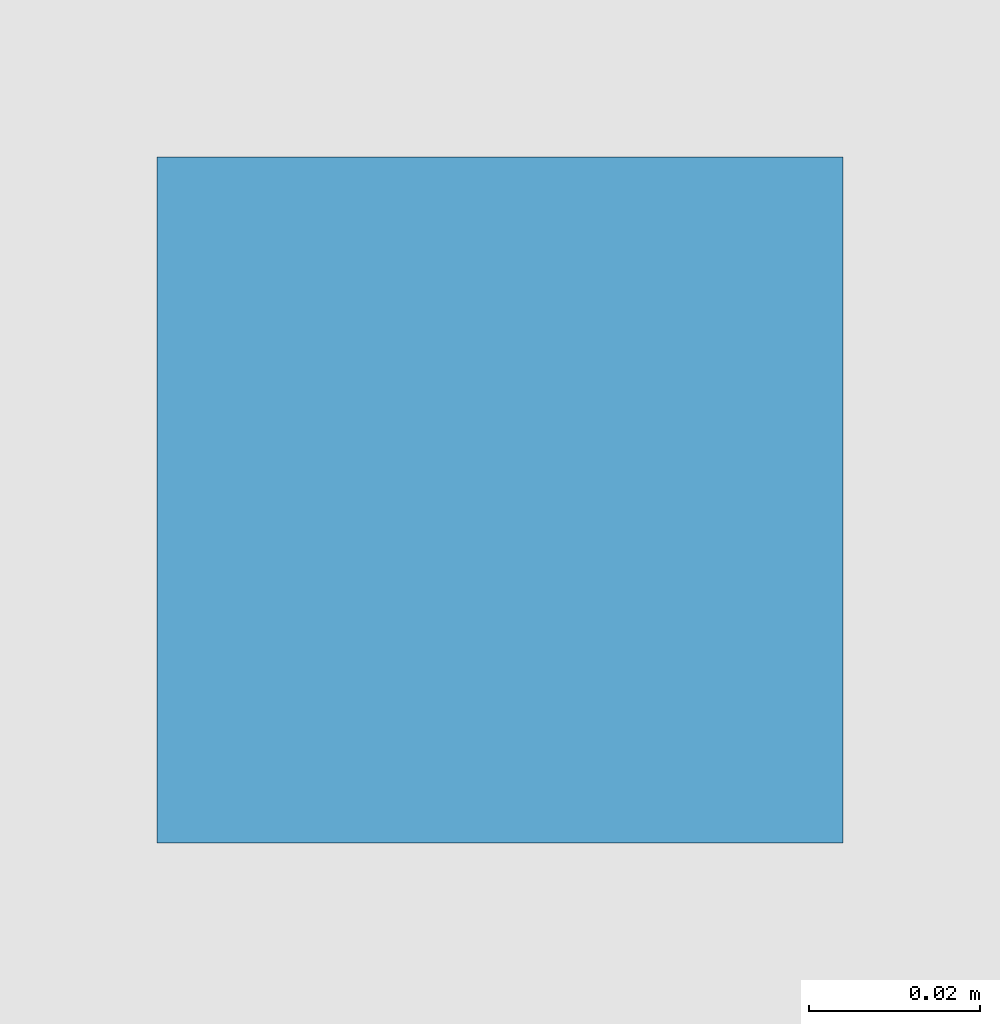
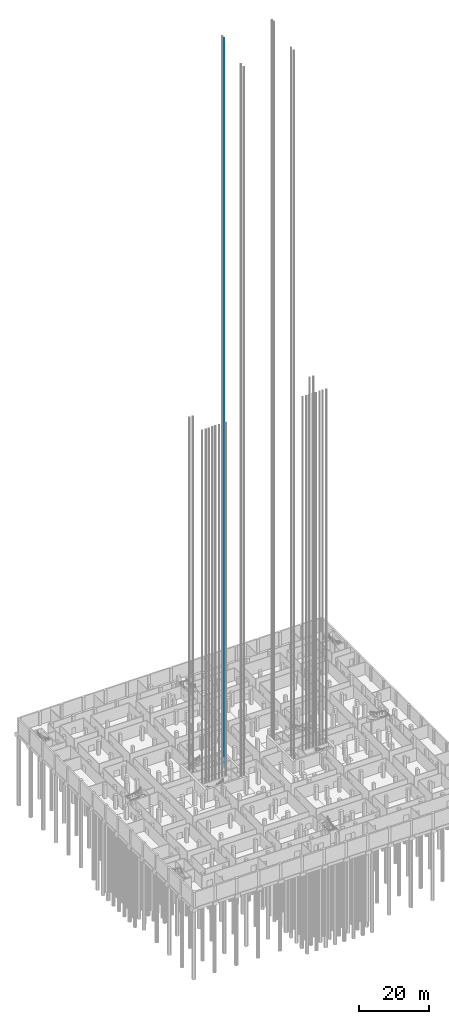
# One storey, part 39 of 54: 1 discrete accessory.
"""IFC4 building model written with IfcOpenShell, lengths in metres."""

from ifc_helpers import new_model, si_unit, direction, frame, origin, origin_2d, place, context, subcontext, project, spatial, rectangle, extrude, material, element, save


model = new_model("IFC4")

# Units and contexts
model_context = context("Model", 3, precision=1e-05, world=origin(), true_north=direction((0.0, 1.0)))
body_context = subcontext(model_context, "Body", "Model", "MODEL_VIEW")
ifc_project = project(units=[si_unit("LENGTHUNIT", "METRE"), si_unit("AREAUNIT", "SQUARE_METRE"), si_unit("VOLUMEUNIT", "CUBIC_METRE"), si_unit("PLANEANGLEUNIT", "RADIAN"), si_unit("MASSUNIT", "GRAM", prefix="KILO")], contexts=[model_context])

# Site, building, storey
site_placement = place(None, origin())
site = spatial("IfcSite", under=ifc_project, at=site_placement, CompositionType="ELEMENT")
building_placement = place(site_placement, origin())
building = spatial("IfcBuilding", under=site, at=building_placement, Name="Fustian Cross Tower", CompositionType="ELEMENT")
storey_placement = place(building_placement, frame((0.0, 0.0, -4.800048828125)))
storey = spatial("IfcBuildingStorey", under=building, at=storey_placement, Name="B1", CompositionType="ELEMENT", Elevation=-4.800048828125)

# Discrete accessory
ifc_material = material(Name="Steel S355", Category="steel")
discrete_accessory_placement = place(storey_placement, frame((-8.18994140625, 5.0, 0.0), z_axis=(0.0, 0.0, 1.0), x_axis=(1.0, 0.0, 0.0)))
element("IfcDiscreteAccessory", 1, at=discrete_accessory_placement, inside=storey, material=ifc_material, Name="Lift guide rail FL1W 1", PredefinedType="NOTDEFINED", context=body_context, shape_type="SweptSolid", body=[
    extrude(rectangle(XDim=0.080078125, YDim=0.080078125, at=origin_2d()), origin(), (0.0, 0.0, 1.0), 254.449951171875),
])

save(model, "model.ifc")
